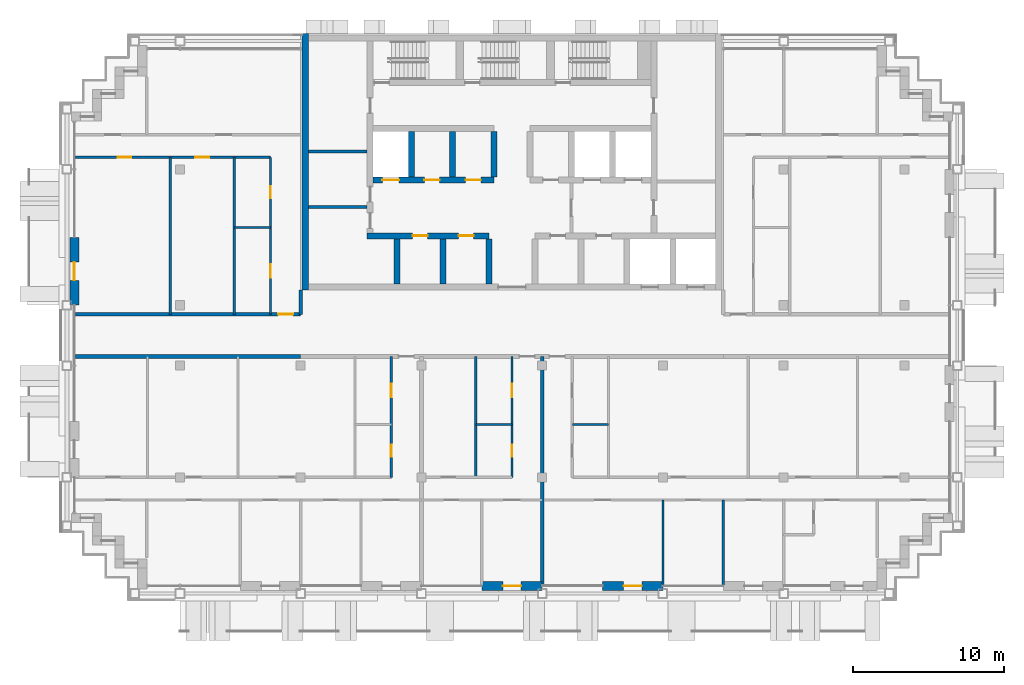
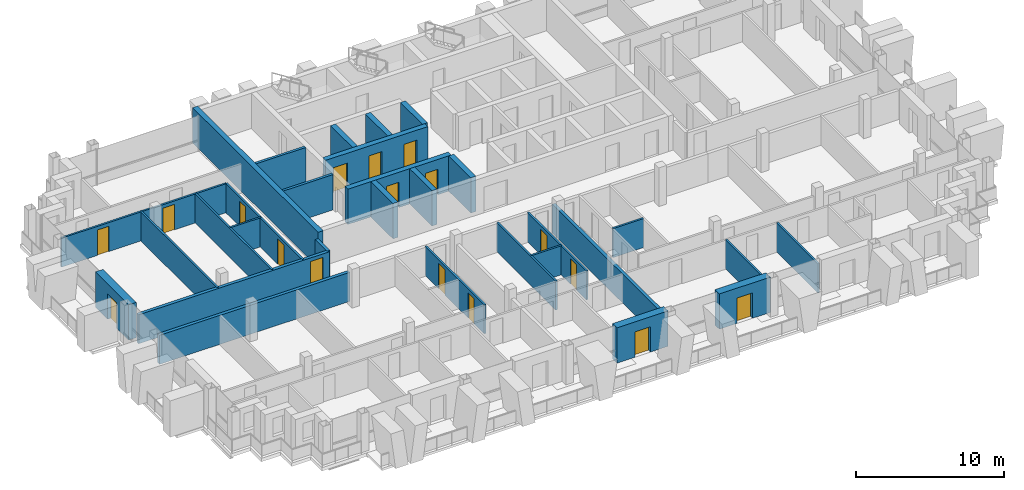
# One storey, part 8 of 16: 30 walls, 17 doors, 17 openings.
"""IFC4 building model written with IfcOpenShell, lengths in metres."""

from ifc_helpers import new_model, si_unit, direction, frame, frame_2d, origin, place, context, subcontext, project, spatial, rectangle, extrude, material, layer, layer_set, type_object, element, fill, save


model = new_model("IFC4")

# Units and contexts
model_context = context("Model", 3, precision=1e-05, world=origin(), true_north=direction((0.0, 1.0)))
body_context = subcontext(model_context, "Body", "Model", "MODEL_VIEW")
ifc_project = project(units=[si_unit("LENGTHUNIT", "METRE"), si_unit("AREAUNIT", "SQUARE_METRE"), si_unit("VOLUMEUNIT", "CUBIC_METRE"), si_unit("PLANEANGLEUNIT", "RADIAN"), si_unit("MASSUNIT", "GRAM", prefix="KILO")], contexts=[model_context])

# Site, building, storey
site_placement = place(None, origin())
site = spatial("IfcSite", under=ifc_project, at=site_placement, CompositionType="ELEMENT")
building_placement = place(site_placement, origin())
building = spatial("IfcBuilding", under=site, at=building_placement, Name="Vidyagriha Tower", CompositionType="ELEMENT")
storey_placement = place(building_placement, frame((0.0, 0.0, 223.60009765625)))
storey = spatial("IfcBuildingStorey", under=building, at=storey_placement, Name="L58", CompositionType="ELEMENT", Elevation=223.60009765625)

# Wall, opening, door
ifc_material_1 = material(Name="Precast concrete C40/50 with brick facing", Category="concrete")
ifc_layer_1 = layer(ifc_material_1, 0.60009765625)
ifc_layer_set_1 = layer_set([ifc_layer_1], Name="Precast concrete C40/50 with brick facing")
wall_type_1 = type_object("IfcWallType", Name="Brick-faced precast wall 600", PredefinedType="STANDARD", material=ifc_layer_set_1)
wall_1_placement = place(storey_placement, frame((-29.0, 6.5, 0.0), z_axis=(0.0, 0.0, 1.0), x_axis=(0.0, -1.0, 0.0)))
wall_1 = element("IfcWall", 1, at=wall_1_placement, inside=storey, type_object=wall_type_1, Name="Brick door bay wall L58 R16.3", PredefinedType="STANDARD", context=body_context, shape_type="SweptSolid", body=[
    extrude(rectangle(XDim=4.5, YDim=0.60009765625, at=frame_2d((2.25, 0.0))), origin(), (0.0, 0.0, 1.0), 2.919921875),
])
opening_1_placement = place(wall_1_placement, frame((1.64990234375, 0.0, 0.0)))
opening_1 = element("IfcOpeningElement", 2, at=opening_1_placement, cuts=wall_1, Name="Opening D58-62", PredefinedType="OPENING", context=body_context, shape_type="SweptSolid", body=[
    extrude(rectangle(XDim=1.199951171875, YDim=2.10009765625, at=frame_2d((0.60009765625, 1.050048828125))), frame((0.0, 0.31005859375, 0.0), z_axis=(0.0, -1.0, 0.0), x_axis=(1.0, 0.0, 0.0)), (0.0, 0.0, 1.0), 0.6201171875),
])
ifc_material_2 = material(Name="Aluminium framed glazed sliding door", Category="aluminium")
door_type_1 = type_object("IfcDoorType", Name="Balcony sliding door 1200x2100", OperationType="NOTDEFINED", PredefinedType="DOOR", material=ifc_material_2)
door_1_placement = place(opening_1_placement, origin())
door_1 = element("IfcDoor", 3, at=door_1_placement, inside=storey, type_object=door_type_1, Name="Door D58-62", OperationType="SLIDING_TO_LEFT", OverallHeight=2.10009765625, OverallWidth=1.199951171875, PredefinedType="DOOR", context=body_context, shape_type="SweptSolid", body=[
    extrude(rectangle(XDim=1.199951171875, YDim=2.10009765625, at=frame_2d((0.60009765625, 1.050048828125))), frame((0.0, 0.02490234375, 0.0), z_axis=(0.0, -1.0, 0.0), x_axis=(1.0, 0.0, 0.0)), (0.0, 0.0, 1.0), 0.050048828125),
])
fill(opening_1, door_1)

wall_2_placement = place(storey_placement, frame((-2.0, -16.60009765625, 0.0)))
wall_2 = element("IfcWall", 4, at=wall_2_placement, inside=storey, type_object=wall_type_1, Name="Brick door bay wall L58 R23.7", PredefinedType="STANDARD", context=body_context, shape_type="SweptSolid", body=[
    extrude(rectangle(XDim=4.0, YDim=0.60009765625, at=frame_2d((2.0, 0.0))), origin(), (0.0, 0.0, 1.0), 2.919921875),
])
opening_2_placement = place(wall_2_placement, frame((1.39990234375, 0.0, 0.0)))
opening_2 = element("IfcOpeningElement", 5, at=opening_2_placement, cuts=wall_2, Name="Opening D58-66", PredefinedType="OPENING", context=body_context, shape_type="SweptSolid", body=[
    extrude(rectangle(XDim=1.199951171875, YDim=2.10009765625, at=frame_2d((0.60009765625, 1.050048828125))), frame((0.0, 0.31005859375, 0.0), z_axis=(0.0, -1.0, 0.0), x_axis=(1.0, 0.0, 0.0)), (0.0, 0.0, 1.0), 0.6201171875),
])
door_2_placement = place(opening_2_placement, origin())
door_2 = element("IfcDoor", 6, at=door_2_placement, inside=storey, type_object=door_type_1, Name="Door D58-66", OperationType="SLIDING_TO_LEFT", OverallHeight=2.10009765625, OverallWidth=1.199951171875, PredefinedType="DOOR", context=body_context, shape_type="SweptSolid", body=[
    extrude(rectangle(XDim=1.199951171875, YDim=2.10009765625, at=frame_2d((0.60009765625, 1.050048828125))), frame((0.0, 0.02490234375, 0.0), z_axis=(0.0, -1.0, 0.0), x_axis=(1.0, 0.0, 0.0)), (0.0, 0.0, 1.0), 0.050048828125),
])
fill(opening_2, door_2)

wall_3_placement = place(storey_placement, frame((6.0, -16.60009765625, 0.0)))
wall_3 = element("IfcWall", 7, at=wall_3_placement, inside=storey, type_object=wall_type_1, Name="Brick door bay wall L58 R23.9", PredefinedType="STANDARD", context=body_context, shape_type="SweptSolid", body=[
    extrude(rectangle(XDim=4.0, YDim=0.60009765625, at=frame_2d((2.0, 0.0))), origin(), (0.0, 0.0, 1.0), 2.919921875),
])
opening_3_placement = place(wall_3_placement, frame((1.39990234375, 0.0, 0.0)))
opening_3 = element("IfcOpeningElement", 8, at=opening_3_placement, cuts=wall_3, Name="Opening D58-67", PredefinedType="OPENING", context=body_context, shape_type="SweptSolid", body=[
    extrude(rectangle(XDim=1.199951171875, YDim=2.10009765625, at=frame_2d((0.60009765625, 1.050048828125))), frame((0.0, 0.31005859375, 0.0), z_axis=(0.0, -1.0, 0.0), x_axis=(1.0, 0.0, 0.0)), (0.0, 0.0, 1.0), 0.6201171875),
])
door_3_placement = place(opening_3_placement, origin())
door_3 = element("IfcDoor", 9, at=door_3_placement, inside=storey, type_object=door_type_1, Name="Door D58-67", OperationType="SLIDING_TO_LEFT", OverallHeight=2.10009765625, OverallWidth=1.199951171875, PredefinedType="DOOR", context=body_context, shape_type="SweptSolid", body=[
    extrude(rectangle(XDim=1.199951171875, YDim=2.10009765625, at=frame_2d((0.60009765625, 1.050048828125))), frame((0.0, 0.02490234375, 0.0), z_axis=(0.0, -1.0, 0.0), x_axis=(1.0, 0.0, 0.0)), (0.0, 0.0, 1.0), 0.050048828125),
])
fill(opening_3, door_3)

# Wall
ifc_material_3 = material(Name="Concrete C60/75", Category="concrete")
ifc_layer_2 = layer(ifc_material_3, 0.39990234375)
ifc_layer_set_2 = layer_set([ifc_layer_2], Name="Concrete C60/75")
wall_type_2 = type_object("IfcWallType", Name="Core shear wall 400 mm", PredefinedType="SHEAR", material=ifc_layer_set_2)
wall_4_placement = place(storey_placement, frame((-13.699951171875, 3.0, 0.0), z_axis=(0.0, 0.0, 1.0), x_axis=(0.0, 1.0, 0.0)))
element("IfcWall", 10, at=wall_4_placement, inside=storey, type_object=wall_type_2, Name="Core west wall", PredefinedType="SHEAR", context=body_context, shape_type="SweptSolid", body=[
    extrude(rectangle(XDim=17.0, YDim=0.39990234375, at=frame_2d((8.5, 0.0))), origin(), (0.0, 0.0, 1.0), 2.919921875),
])

# Wall, openings, doors
wall_5_placement = place(storey_placement, frame((-9.60009765625, 6.60009765625, 0.0)))
wall_5 = element("IfcWall", 11, at=wall_5_placement, inside=storey, type_object=wall_type_2, Name="Core lobby south wall west", PredefinedType="SHEAR", context=body_context, shape_type="SweptSolid", body=[
    extrude(rectangle(XDim=8.077880859375, YDim=0.39990234375, at=frame_2d((4.0390625, 0.0))), origin(), (0.0, 0.0, 1.0), 2.919921875),
])
opening_4_placement = place(wall_5_placement, frame((3.010986328125, 0.0, 0.0)))
opening_4 = element("IfcOpeningElement", 12, at=opening_4_placement, cuts=wall_5, Name="Opening D58-02", PredefinedType="OPENING", context=body_context, shape_type="SweptSolid", body=[
    extrude(rectangle(XDim=1.0, YDim=2.10009765625, at=frame_2d((0.5, 1.050048828125))), frame((0.0, 0.2099609375, 0.0), z_axis=(0.0, -1.0, 0.0), x_axis=(1.0, 0.0, 0.0)), (0.0, 0.0, 1.0), 0.419921875),
])
opening_5_placement = place(wall_5_placement, frame((6.0556640625, 0.0, 0.0)))
opening_5 = element("IfcOpeningElement", 13, at=opening_5_placement, cuts=wall_5, Name="Opening D58-03", PredefinedType="OPENING", context=body_context, shape_type="SweptSolid", body=[
    extrude(rectangle(XDim=1.0, YDim=2.10009765625, at=frame_2d((0.5, 1.050048828125))), frame((0.0, 0.2099609375, 0.0), z_axis=(0.0, -1.0, 0.0), x_axis=(1.0, 0.0, 0.0)), (0.0, 0.0, 1.0), 0.419921875),
])
ifc_material_4 = material(Name="Hollow metal door leaf")
door_type_2 = type_object("IfcDoorType", Name="Core room door 1000 x 2100 mm EI 60", OperationType="NOTDEFINED", PredefinedType="DOOR", material=ifc_material_4)
door_4_placement = place(opening_4_placement, origin())
door_4 = element("IfcDoor", 14, at=door_4_placement, inside=storey, type_object=door_type_2, Name="Door Mechanical Riser Room 58.01", OperationType="SINGLE_SWING_RIGHT", OverallHeight=2.10009765625, OverallWidth=1.0, PredefinedType="DOOR", context=body_context, shape_type="SweptSolid", body=[
    extrude(rectangle(XDim=1.0, YDim=2.10009765625, at=frame_2d((0.5, 1.050048828125))), frame((0.0, 0.02490234375, 0.0), z_axis=(0.0, -1.0, 0.0), x_axis=(1.0, 0.0, 0.0)), (0.0, 0.0, 1.0), 0.050048828125),
])
fill(opening_4, door_4)
door_5_placement = place(opening_5_placement, origin())
door_5 = element("IfcDoor", 15, at=door_5_placement, inside=storey, type_object=door_type_2, Name="Door Switchgear Room 58.02", OperationType="SINGLE_SWING_RIGHT", OverallHeight=2.10009765625, OverallWidth=1.0, PredefinedType="DOOR", context=body_context, shape_type="SweptSolid", body=[
    extrude(rectangle(XDim=1.0, YDim=2.10009765625, at=frame_2d((0.5, 1.050048828125))), frame((0.0, 0.02490234375, 0.0), z_axis=(0.0, -1.0, 0.0), x_axis=(1.0, 0.0, 0.0)), (0.0, 0.0, 1.0), 0.050048828125),
])
fill(opening_5, door_5)

# Walls
for number, where, z_axis, x_axis, name in (
    (16, (-7.611083984375, 3.39990234375, 0.0), (0.0, 0.0, 1.0), (0.0, 1.0, 0.0), "Core bay wall S2"),
    (17, (-4.566650390625, 3.39990234375, 0.0), (0.0, 0.0, 1.0), (0.0, 1.0, 0.0), "Core bay wall S3"),
    (18, (-1.522216796875, 3.39990234375, 0.0), (0.0, 0.0, 1.0), (0.0, 1.0, 0.0), "Core bay wall S4"),
):
    element("IfcWall", number, at=place(storey_placement, frame(where, z_axis=z_axis, x_axis=x_axis)), inside=storey, type_object=wall_type_2, Name=name, PredefinedType="SHEAR", context=body_context, shape_type="SweptSolid", body=[
        extrude(rectangle(XDim=3.0, YDim=0.39990234375, at=frame_2d((1.5, 0.0))), origin(), (0.0, 0.0, 1.0), 2.919921875),
    ])

# Wall, openings, doors
wall_6_placement = place(storey_placement, frame((-9.199951171875, 10.300048828125, 0.0)))
wall_6 = element("IfcWall", 19, at=wall_6_placement, inside=storey, type_object=wall_type_2, Name="Core row N front wall", PredefinedType="SHEAR", context=body_context, shape_type="SweptSolid", body=[
    extrude(rectangle(XDim=8.0, YDim=0.39990234375, at=frame_2d((4.0, 0.0))), origin(), (0.0, 0.0, 1.0), 2.919921875),
])
opening_6_placement = place(wall_6_placement, frame((0.61669921875, 0.0, 0.0)))
opening_6 = element("IfcOpeningElement", 20, at=opening_6_placement, cuts=wall_6, Name="Opening LD58-03", PredefinedType="OPENING", context=body_context, shape_type="SweptSolid", body=[
    extrude(rectangle(XDim=1.10009765625, YDim=2.10009765625, at=frame_2d((0.550048828125, 1.050048828125))), frame((0.0, 0.2099609375, 0.0), z_axis=(0.0, -1.0, 0.0), x_axis=(1.0, 0.0, 0.0)), (0.0, 0.0, 1.0), 0.419921875),
])
opening_7_placement = place(wall_6_placement, frame((3.39990234375, 0.0, 0.0)))
opening_7 = element("IfcOpeningElement", 21, at=opening_7_placement, cuts=wall_6, Name="Opening D58-06", PredefinedType="OPENING", context=body_context, shape_type="SweptSolid", body=[
    extrude(rectangle(XDim=1.0, YDim=2.10009765625, at=frame_2d((0.5, 1.050048828125))), frame((0.0, 0.2099609375, 0.0), z_axis=(0.0, -1.0, 0.0), x_axis=(1.0, 0.0, 0.0)), (0.0, 0.0, 1.0), 0.419921875),
])
opening_8_placement = place(wall_6_placement, frame((6.13330078125, 0.0, 0.0)))
opening_8 = element("IfcOpeningElement", 22, at=opening_8_placement, cuts=wall_6, Name="Opening D58-07", PredefinedType="OPENING", context=body_context, shape_type="SweptSolid", body=[
    extrude(rectangle(XDim=1.0, YDim=2.10009765625, at=frame_2d((0.5, 1.050048828125))), frame((0.0, 0.2099609375, 0.0), z_axis=(0.0, -1.0, 0.0), x_axis=(1.0, 0.0, 0.0)), (0.0, 0.0, 1.0), 0.419921875),
])
door_6_placement = place(opening_7_placement, frame((1.0, 0.0, 0.0), z_axis=(0.0, 0.0, 1.0), x_axis=(-1.0, 0.0, 0.0)))
door_6 = element("IfcDoor", 23, at=door_6_placement, inside=storey, type_object=door_type_2, Name="Door Refuse Room 58.14", OperationType="SINGLE_SWING_RIGHT", OverallHeight=2.10009765625, OverallWidth=1.0, PredefinedType="DOOR", context=body_context, shape_type="SweptSolid", body=[
    extrude(rectangle(XDim=1.0, YDim=2.10009765625, at=frame_2d((0.5, 1.050048828125))), frame((0.0, 0.02490234375, 0.0), z_axis=(0.0, -1.0, 0.0), x_axis=(1.0, 0.0, 0.0)), (0.0, 0.0, 1.0), 0.050048828125),
])
fill(opening_7, door_6)
door_7_placement = place(opening_8_placement, frame((1.0, 0.0, 0.0), z_axis=(0.0, 0.0, 1.0), x_axis=(-1.0, 0.0, 0.0)))
door_7 = element("IfcDoor", 24, at=door_7_placement, inside=storey, type_object=door_type_2, Name="Door Pressurisation Plant Room 58.15", OperationType="SINGLE_SWING_LEFT", OverallHeight=2.10009765625, OverallWidth=1.0, PredefinedType="DOOR", context=body_context, shape_type="SweptSolid", body=[
    extrude(rectangle(XDim=1.0, YDim=2.10009765625, at=frame_2d((0.5, 1.050048828125))), frame((0.0, 0.02490234375, 0.0), z_axis=(0.0, -1.0, 0.0), x_axis=(1.0, 0.0, 0.0)), (0.0, 0.0, 1.0), 0.050048828125),
])
fill(opening_8, door_7)
ifc_material_5 = material(Name="Stainless steel sliding door panel", Category="steel")
door_type_3 = type_object("IfcDoorType", Name="Lift landing door 1100 x 2100 mm EI 90", OperationType="NOTDEFINED", PredefinedType="DOOR", material=ifc_material_5)
door_8_placement = place(opening_6_placement, origin())
door_8 = element("IfcDoor", 25, at=door_8_placement, inside=storey, type_object=door_type_3, Name="Landing door MR3 L58", OperationType="SLIDING_TO_LEFT", OverallHeight=2.10009765625, OverallWidth=1.10009765625, PredefinedType="DOOR", context=body_context, shape_type="SweptSolid", body=[
    extrude(rectangle(XDim=1.10009765625, YDim=2.10009765625, at=frame_2d((0.550048828125, 1.050048828125))), frame((0.0, 0.02490234375, 0.0), z_axis=(0.0, -1.0, 0.0), x_axis=(1.0, 0.0, 0.0)), (0.0, 0.0, 1.0), 0.050048828125),
])
fill(opening_6, door_8)

# Walls
for number, where, z_axis, x_axis, name in (
    (26, (-6.666748046875, 10.5, 0.0), (0.0, 0.0, 1.0), (0.0, 1.0, 0.0), "Core bay wall N1"),
    (27, (-3.933349609375, 10.5, 0.0), (0.0, 0.0, 1.0), (0.0, 1.0, 0.0), "Core bay wall N2"),
    (28, (-1.199951171875, 10.5, 0.0), (0.0, 0.0, 1.0), (0.0, 1.0, 0.0), "Core bay wall N3"),
):
    element("IfcWall", number, at=place(storey_placement, frame(where, z_axis=z_axis, x_axis=x_axis)), inside=storey, type_object=wall_type_2, Name=name, PredefinedType="SHEAR", context=body_context, shape_type="SweptSolid", body=[
        extrude(rectangle(XDim=3.0, YDim=0.39990234375, at=frame_2d((1.5, 0.0))), origin(), (0.0, 0.0, 1.0), 2.919921875),
    ])
ifc_material_6 = material(Name="Fired clay brick masonry", Category="masonry")
ifc_layer_3 = layer(ifc_material_6, 0.25)
ifc_layer_set_3 = layer_set([ifc_layer_3], Name="Fired clay brick masonry")
wall_type_3 = type_object("IfcWallType", Name="Fired clay brick corridor wall 250", PredefinedType="PARTITIONING", material=ifc_layer_set_3)
wall_7_placement = place(storey_placement, frame((-14.0, -1.39990234375, 0.0), z_axis=(0.0, 0.0, 1.0), x_axis=(-1.0, 0.0, 0.0)))
element("IfcWall", 29, at=wall_7_placement, inside=storey, type_object=wall_type_3, Name="Wall all-L58-w062", PredefinedType="PARTITIONING", context=body_context, shape_type="SweptSolid", body=[
    extrude(rectangle(XDim=14.919921875, YDim=0.25, at=frame_2d((7.4599609375, 0.0))), origin(), (0.0, 0.0, 1.0), 2.39990234375),
])

# Wall, opening, door
wall_8_placement = place(storey_placement, frame((-28.919921875, 1.39990234375, 0.0)))
wall_8 = element("IfcWall", 30, at=wall_8_placement, inside=storey, type_object=wall_type_3, Name="Wall all-L58-w078", PredefinedType="PARTITIONING", context=body_context, shape_type="SweptSolid", body=[
    extrude(rectangle(XDim=14.919921875, YDim=0.25, at=frame_2d((7.4599609375, 0.0))), origin(), (0.0, 0.0, 1.0), 2.39990234375),
])
opening_9_placement = place(wall_8_placement, frame((13.419921875, 0.0, 0.0)))
opening_9 = element("IfcOpeningElement", 31, at=opening_9_placement, cuts=wall_8, Name="Opening D58-53", PredefinedType="OPENING", context=body_context, shape_type="SweptSolid", body=[
    extrude(rectangle(XDim=1.0, YDim=2.10009765625, at=frame_2d((0.5, 1.050048828125))), frame((0.0, 0.135009765625, 0.0), z_axis=(0.0, -1.0, 0.0), x_axis=(1.0, 0.0, 0.0)), (0.0, 0.0, 1.0), 0.27001953125),
])
ifc_material_7 = material(Name="Fire-rated timber door leaf EI 60", Category="wood")
door_type_4 = type_object("IfcDoorType", Name="Flat entrance fire door 1000x2100", OperationType="NOTDEFINED", PredefinedType="DOOR", material=ifc_material_7)
door_9_placement = place(opening_9_placement, origin())
door_9 = element("IfcDoor", 32, at=door_9_placement, inside=storey, type_object=door_type_4, Name="Door D58-53", OperationType="SINGLE_SWING_RIGHT", OverallHeight=2.10009765625, OverallWidth=1.0, PredefinedType="DOOR", context=body_context, shape_type="SweptSolid", body=[
    extrude(rectangle(XDim=1.0, YDim=2.10009765625, at=frame_2d((0.5, 1.050048828125))), frame((0.0, 0.02490234375, 0.0), z_axis=(0.0, -1.0, 0.0), x_axis=(1.0, 0.0, 0.0)), (0.0, 0.0, 1.0), 0.050048828125),
])
fill(opening_9, door_9)

# Walls
wall_9_placement = place(storey_placement, frame((-14.0, 3.0, 0.0), z_axis=(0.0, 0.0, 1.0), x_axis=(0.0, -1.0, 0.0)))
element("IfcWall", 33, at=wall_9_placement, inside=storey, type_object=wall_type_3, Name="Wall all-L58-w097", PredefinedType="PARTITIONING", context=body_context, shape_type="SweptSolid", body=[
    extrude(rectangle(XDim=1.60009765625, YDim=0.25, at=frame_2d((0.800048828125, 0.0))), origin(), (0.0, 0.0, 1.0), 2.39990234375),
])
ifc_material_8 = material(Name="Fired clay brick masonry", Category="masonry")
ifc_layer_4 = layer(ifc_material_8, 0.25)
ifc_layer_set_4 = layer_set([ifc_layer_4], Name="Fired clay brick masonry")
wall_type_4 = type_object("IfcWallType", Name="Fired clay brick demising wall 250", PredefinedType="PARTITIONING", material=ifc_layer_set_4)
wall_10_placement = place(storey_placement, frame((2.0, -1.39990234375, 0.0), z_axis=(0.0, 0.0, 1.0), x_axis=(0.0, -1.0, 0.0)))
element("IfcWall", 34, at=wall_10_placement, inside=storey, type_object=wall_type_4, Name="Wall all-L58-w061", PredefinedType="PARTITIONING", context=body_context, shape_type="SweptSolid", body=[
    extrude(rectangle(XDim=15.110107421875, YDim=0.25, at=frame_2d((7.55517578125, 0.0))), origin(), (0.0, 0.0, 1.0), 2.39990234375),
])
ifc_material_9 = material(Name="Gypsum board partition")
ifc_layer_5 = layer(ifc_material_9, 0.14990234375)
ifc_layer_set_5 = layer_set([ifc_layer_5], Name="Gypsum board partition")
wall_type_5 = type_object("IfcWallType", Name="Gypsum board partition 150", PredefinedType="PARTITIONING", material=ifc_layer_set_5)
wall_11_placement = place(storey_placement, frame((0.0, -5.89990234375, 0.0), z_axis=(0.0, 0.0, 1.0), x_axis=(-1.0, 0.0, 0.0)))
element("IfcWall", 35, at=wall_11_placement, inside=storey, type_object=wall_type_5, Name="Wall all-L58-w026", PredefinedType="PARTITIONING", context=body_context, shape_type="SweptSolid", body=[
    extrude(rectangle(XDim=2.39990234375, YDim=0.14990234375, at=frame_2d((1.199951171875, 0.0))), origin(), (0.0, 0.0, 1.0), 2.39990234375),
])
wall_12_placement = place(storey_placement, frame((-2.39990234375, -9.39990234375, 0.0), z_axis=(0.0, 0.0, 1.0), x_axis=(0.0, 1.0, 0.0)))
element("IfcWall", 36, at=wall_12_placement, inside=storey, type_object=wall_type_5, Name="Wall all-L58-w027", PredefinedType="PARTITIONING", context=body_context, shape_type="SweptSolid", body=[
    extrude(rectangle(XDim=8.0, YDim=0.14990234375, at=frame_2d((4.0, 0.0))), origin(), (0.0, 0.0, 1.0), 2.39990234375),
])
wall_13_placement = place(storey_placement, frame((6.39990234375, -5.89990234375, 0.0), z_axis=(0.0, 0.0, 1.0), x_axis=(-1.0, 0.0, 0.0)))
element("IfcWall", 37, at=wall_13_placement, inside=storey, type_object=wall_type_5, Name="Wall all-L58-w039", PredefinedType="PARTITIONING", context=body_context, shape_type="SweptSolid", body=[
    extrude(rectangle(XDim=2.39990234375, YDim=0.14990234375, at=frame_2d((1.199951171875, 0.0))), origin(), (0.0, 0.0, 1.0), 2.39990234375),
])
wall_14_placement = place(storey_placement, frame((10.0, -10.89990234375, 0.0), z_axis=(0.0, 0.0, 1.0), x_axis=(0.0, -1.0, 0.0)))
element("IfcWall", 38, at=wall_14_placement, inside=storey, type_object=wall_type_5, Name="Wall all-L58-w053", PredefinedType="PARTITIONING", context=body_context, shape_type="SweptSolid", body=[
    extrude(rectangle(XDim=5.610107421875, YDim=0.14990234375, at=frame_2d((2.80517578125, 0.0))), origin(), (0.0, 0.0, 1.0), 2.39990234375),
])
wall_15_placement = place(storey_placement, frame((14.0, -10.89990234375, 0.0), z_axis=(0.0, 0.0, 1.0), x_axis=(0.0, -1.0, 0.0)))
element("IfcWall", 39, at=wall_15_placement, inside=storey, type_object=wall_type_5, Name="Wall all-L58-w054", PredefinedType="PARTITIONING", context=body_context, shape_type="SweptSolid", body=[
    extrude(rectangle(XDim=5.62109375, YDim=0.14990234375, at=frame_2d((2.810546875, 0.0))), origin(), (0.0, 0.0, 1.0), 2.39990234375),
])
wall_16_placement = place(storey_placement, frame((-18.39990234375, 7.14990234375, 0.0)))
element("IfcWall", 40, at=wall_16_placement, inside=storey, type_object=wall_type_5, Name="Wall all-L58-w067", PredefinedType="PARTITIONING", context=body_context, shape_type="SweptSolid", body=[
    extrude(rectangle(XDim=2.39990234375, YDim=0.14990234375, at=frame_2d((1.199951171875, 0.0))), origin(), (0.0, 0.0, 1.0), 2.39990234375),
])
for number, where, z_axis, x_axis, name in (
    (41, (-18.39990234375, 1.39990234375, 0.0), (0.0, 0.0, 1.0), (0.0, 1.0, 0.0), "Wall all-L58-w068"),
    (42, (-22.64990234375, 1.39990234375, 0.0), (0.0, 0.0, 1.0), (0.0, 1.0, 0.0), "Wall all-L58-w069"),
):
    element("IfcWall", number, at=place(storey_placement, frame(where, z_axis=z_axis, x_axis=x_axis)), inside=storey, type_object=wall_type_5, Name=name, PredefinedType="PARTITIONING", context=body_context, shape_type="SweptSolid", body=[
        extrude(rectangle(XDim=10.400146484375, YDim=0.14990234375, at=frame_2d((5.2001953125, 0.0))), origin(), (0.0, 0.0, 1.0), 2.39990234375),
    ])

# Wall, openings, doors
wall_17_placement = place(storey_placement, frame((-16.0, 11.800048828125, 0.0), z_axis=(0.0, 0.0, 1.0), x_axis=(-1.0, 0.0, 0.0)))
wall_17 = element("IfcWall", 43, at=wall_17_placement, inside=storey, type_object=wall_type_5, Name="Wall all-L58-w070", PredefinedType="PARTITIONING", context=body_context, shape_type="SweptSolid", body=[
    extrude(rectangle(XDim=12.919921875, YDim=0.14990234375, at=frame_2d((6.4599609375, 0.0))), origin(), (0.0, 0.0, 1.0), 2.39990234375),
])
opening_10_placement = place(wall_17_placement, frame((4.074951171875, 0.0, 0.0)))
opening_10 = element("IfcOpeningElement", 44, at=opening_10_placement, cuts=wall_17, Name="Opening D58-49", PredefinedType="OPENING", context=body_context, shape_type="SweptSolid", body=[
    extrude(rectangle(XDim=0.89990234375, YDim=2.10009765625, at=frame_2d((0.449951171875, 1.050048828125))), frame((0.0, 0.0849609375, 0.0), z_axis=(0.0, -1.0, 0.0), x_axis=(1.0, 0.0, 0.0)), (0.0, 0.0, 1.0), 0.169921875),
])
opening_11_placement = place(wall_17_placement, frame((9.22509765625, 0.0, 0.0)))
opening_11 = element("IfcOpeningElement", 45, at=opening_11_placement, cuts=wall_17, Name="Opening D58-50", PredefinedType="OPENING", context=body_context, shape_type="SweptSolid", body=[
    extrude(rectangle(XDim=0.89990234375, YDim=2.10009765625, at=frame_2d((0.449951171875, 1.050048828125))), frame((0.0, 0.0849609375, 0.0), z_axis=(0.0, -1.0, 0.0), x_axis=(1.0, 0.0, 0.0)), (0.0, 0.0, 1.0), 0.169921875),
])
ifc_material_10 = material(Name="Timber door leaf", Category="wood")
door_type_5 = type_object("IfcDoorType", Name="Room door 900x2100", OperationType="NOTDEFINED", PredefinedType="DOOR", material=ifc_material_10)
door_10_placement = place(opening_10_placement, origin())
door_10 = element("IfcDoor", 46, at=door_10_placement, inside=storey, type_object=door_type_5, Name="Door D58-49", OperationType="SINGLE_SWING_RIGHT", OverallHeight=2.10009765625, OverallWidth=0.89990234375, PredefinedType="DOOR", context=body_context, shape_type="SweptSolid", body=[
    extrude(rectangle(XDim=0.89990234375, YDim=2.10009765625, at=frame_2d((0.449951171875, 1.050048828125))), frame((0.0, 0.02490234375, 0.0), z_axis=(0.0, -1.0, 0.0), x_axis=(1.0, 0.0, 0.0)), (0.0, 0.0, 1.0), 0.050048828125),
])
fill(opening_10, door_10)
door_11_placement = place(opening_11_placement, origin())
door_11 = element("IfcDoor", 47, at=door_11_placement, inside=storey, type_object=door_type_5, Name="Door D58-50", OperationType="SINGLE_SWING_RIGHT", OverallHeight=2.10009765625, OverallWidth=0.89990234375, PredefinedType="DOOR", context=body_context, shape_type="SweptSolid", body=[
    extrude(rectangle(XDim=0.89990234375, YDim=2.10009765625, at=frame_2d((0.449951171875, 1.050048828125))), frame((0.0, 0.02490234375, 0.0), z_axis=(0.0, -1.0, 0.0), x_axis=(1.0, 0.0, 0.0)), (0.0, 0.0, 1.0), 0.050048828125),
])
fill(opening_11, door_11)

ifc_material_11 = material(Name="Moisture resistant gypsum board partition")
ifc_layer_6 = layer(ifc_material_11, 0.14990234375)
ifc_layer_set_6 = layer_set([ifc_layer_6], Name="Moisture resistant gypsum board partition")
wall_type_6 = type_object("IfcWallType", Name="Gypsum board wet-area partition 150", PredefinedType="PARTITIONING", material=ifc_layer_set_6)
wall_18_placement = place(storey_placement, frame((-8.0, -9.39990234375, 0.0), z_axis=(0.0, 0.0, 1.0), x_axis=(0.0, 1.0, 0.0)))
wall_18 = element("IfcWall", 48, at=wall_18_placement, inside=storey, type_object=wall_type_6, Name="Wall all-L58-w001", PredefinedType="PARTITIONING", context=body_context, shape_type="SweptSolid", body=[
    extrude(rectangle(XDim=8.0, YDim=0.14990234375, at=frame_2d((4.0, 0.0))), origin(), (0.0, 0.0, 1.0), 2.39990234375),
])
opening_12_placement = place(wall_18_placement, frame((5.300048828125, 0.0, 0.0)))
opening_12 = element("IfcOpeningElement", 49, at=opening_12_placement, cuts=wall_18, Name="Opening D58-18", PredefinedType="OPENING", context=body_context, shape_type="SweptSolid", body=[
    extrude(rectangle(XDim=0.89990234375, YDim=2.10009765625, at=frame_2d((0.449951171875, 1.050048828125))), frame((0.0, 0.0849609375, 0.0), z_axis=(0.0, -1.0, 0.0), x_axis=(1.0, 0.0, 0.0)), (0.0, 0.0, 1.0), 0.169921875),
])
opening_13_placement = place(wall_18_placement, frame((1.35009765625, 0.0, 0.0)))
opening_13 = element("IfcOpeningElement", 50, at=opening_13_placement, cuts=wall_18, Name="Opening D58-19", PredefinedType="OPENING", context=body_context, shape_type="SweptSolid", body=[
    extrude(rectangle(XDim=0.800048828125, YDim=2.10009765625, at=frame_2d((0.39990234375, 1.050048828125))), frame((0.0, 0.0849609375, 0.0), z_axis=(0.0, -1.0, 0.0), x_axis=(1.0, 0.0, 0.0)), (0.0, 0.0, 1.0), 0.169921875),
])
ifc_material_12 = material(Name="Timber door leaf", Category="wood")
door_type_6 = type_object("IfcDoorType", Name="Bathroom door 800x2100", OperationType="NOTDEFINED", PredefinedType="DOOR", material=ifc_material_12)
door_12_placement = place(opening_13_placement, origin())
door_12 = element("IfcDoor", 51, at=door_12_placement, inside=storey, type_object=door_type_6, Name="Door D58-19", OperationType="SINGLE_SWING_RIGHT", OverallHeight=2.10009765625, OverallWidth=0.800048828125, PredefinedType="DOOR", context=body_context, shape_type="SweptSolid", body=[
    extrude(rectangle(XDim=0.800048828125, YDim=2.10009765625, at=frame_2d((0.39990234375, 1.050048828125))), frame((0.0, 0.02490234375, 0.0), z_axis=(0.0, -1.0, 0.0), x_axis=(1.0, 0.0, 0.0)), (0.0, 0.0, 1.0), 0.050048828125),
])
fill(opening_13, door_12)
ifc_material_13 = material(Name="Timber door leaf", Category="wood")
door_type_7 = type_object("IfcDoorType", Name="Kitchen door 900x2100", OperationType="NOTDEFINED", PredefinedType="DOOR", material=ifc_material_13)
door_13_placement = place(opening_12_placement, origin())
door_13 = element("IfcDoor", 52, at=door_13_placement, inside=storey, type_object=door_type_7, Name="Door D58-18", OperationType="SINGLE_SWING_LEFT", OverallHeight=2.10009765625, OverallWidth=0.89990234375, PredefinedType="DOOR", context=body_context, shape_type="SweptSolid", body=[
    extrude(rectangle(XDim=0.89990234375, YDim=2.10009765625, at=frame_2d((0.449951171875, 1.050048828125))), frame((0.0, 0.02490234375, 0.0), z_axis=(0.0, -1.0, 0.0), x_axis=(1.0, 0.0, 0.0)), (0.0, 0.0, 1.0), 0.050048828125),
])
fill(opening_12, door_13)

wall_19_placement = place(storey_placement, frame((0.0, -9.39990234375, 0.0), z_axis=(0.0, 0.0, 1.0), x_axis=(0.0, 1.0, 0.0)))
wall_19 = element("IfcWall", 53, at=wall_19_placement, inside=storey, type_object=wall_type_6, Name="Wall all-L58-w023", PredefinedType="PARTITIONING", context=body_context, shape_type="SweptSolid", body=[
    extrude(rectangle(XDim=8.0, YDim=0.14990234375, at=frame_2d((4.0, 0.0))), origin(), (0.0, 0.0, 1.0), 2.39990234375),
])
opening_14_placement = place(wall_19_placement, frame((5.300048828125, 0.0, 0.0)))
opening_14 = element("IfcOpeningElement", 54, at=opening_14_placement, cuts=wall_19, Name="Opening D58-29", PredefinedType="OPENING", context=body_context, shape_type="SweptSolid", body=[
    extrude(rectangle(XDim=0.89990234375, YDim=2.10009765625, at=frame_2d((0.449951171875, 1.050048828125))), frame((0.0, 0.0849609375, 0.0), z_axis=(0.0, -1.0, 0.0), x_axis=(1.0, 0.0, 0.0)), (0.0, 0.0, 1.0), 0.169921875),
])
opening_15_placement = place(wall_19_placement, frame((1.35009765625, 0.0, 0.0)))
opening_15 = element("IfcOpeningElement", 55, at=opening_15_placement, cuts=wall_19, Name="Opening D58-30", PredefinedType="OPENING", context=body_context, shape_type="SweptSolid", body=[
    extrude(rectangle(XDim=0.800048828125, YDim=2.10009765625, at=frame_2d((0.39990234375, 1.050048828125))), frame((0.0, 0.0849609375, 0.0), z_axis=(0.0, -1.0, 0.0), x_axis=(1.0, 0.0, 0.0)), (0.0, 0.0, 1.0), 0.169921875),
])
door_14_placement = place(opening_15_placement, origin())
door_14 = element("IfcDoor", 56, at=door_14_placement, inside=storey, type_object=door_type_6, Name="Door D58-30", OperationType="SINGLE_SWING_RIGHT", OverallHeight=2.10009765625, OverallWidth=0.800048828125, PredefinedType="DOOR", context=body_context, shape_type="SweptSolid", body=[
    extrude(rectangle(XDim=0.800048828125, YDim=2.10009765625, at=frame_2d((0.39990234375, 1.050048828125))), frame((0.0, 0.02490234375, 0.0), z_axis=(0.0, -1.0, 0.0), x_axis=(1.0, 0.0, 0.0)), (0.0, 0.0, 1.0), 0.050048828125),
])
fill(opening_15, door_14)
door_15_placement = place(opening_14_placement, origin())
door_15 = element("IfcDoor", 57, at=door_15_placement, inside=storey, type_object=door_type_7, Name="Door D58-29", OperationType="SINGLE_SWING_LEFT", OverallHeight=2.10009765625, OverallWidth=0.89990234375, PredefinedType="DOOR", context=body_context, shape_type="SweptSolid", body=[
    extrude(rectangle(XDim=0.89990234375, YDim=2.10009765625, at=frame_2d((0.449951171875, 1.050048828125))), frame((0.0, 0.02490234375, 0.0), z_axis=(0.0, -1.0, 0.0), x_axis=(1.0, 0.0, 0.0)), (0.0, 0.0, 1.0), 0.050048828125),
])
fill(opening_14, door_15)

wall_20_placement = place(storey_placement, frame((-16.0, 1.39990234375, 0.0), z_axis=(0.0, 0.0, 1.0), x_axis=(0.0, 1.0, 0.0)))
wall_20 = element("IfcWall", 58, at=wall_20_placement, inside=storey, type_object=wall_type_6, Name="Wall all-L58-w064", PredefinedType="PARTITIONING", context=body_context, shape_type="SweptSolid", body=[
    extrude(rectangle(XDim=10.400146484375, YDim=0.14990234375, at=frame_2d((5.2001953125, 0.0))), origin(), (0.0, 0.0, 1.0), 2.39990234375),
])
opening_16_placement = place(wall_20_placement, frame((2.425048828125, 0.0, 0.0)))
opening_16 = element("IfcOpeningElement", 59, at=opening_16_placement, cuts=wall_20, Name="Opening D58-47", PredefinedType="OPENING", context=body_context, shape_type="SweptSolid", body=[
    extrude(rectangle(XDim=0.89990234375, YDim=2.10009765625, at=frame_2d((0.449951171875, 1.050048828125))), frame((0.0, 0.0849609375, 0.0), z_axis=(0.0, -1.0, 0.0), x_axis=(1.0, 0.0, 0.0)), (0.0, 0.0, 1.0), 0.169921875),
])
opening_17_placement = place(wall_20_placement, frame((7.675048828125, 0.0, 0.0)))
opening_17 = element("IfcOpeningElement", 60, at=opening_17_placement, cuts=wall_20, Name="Opening D58-48", PredefinedType="OPENING", context=body_context, shape_type="SweptSolid", body=[
    extrude(rectangle(XDim=0.800048828125, YDim=2.10009765625, at=frame_2d((0.39990234375, 1.050048828125))), frame((0.0, 0.0849609375, 0.0), z_axis=(0.0, -1.0, 0.0), x_axis=(1.0, 0.0, 0.0)), (0.0, 0.0, 1.0), 0.169921875),
])
door_16_placement = place(opening_17_placement, origin())
door_16 = element("IfcDoor", 61, at=door_16_placement, inside=storey, type_object=door_type_6, Name="Door D58-48", OperationType="SINGLE_SWING_LEFT", OverallHeight=2.10009765625, OverallWidth=0.800048828125, PredefinedType="DOOR", context=body_context, shape_type="SweptSolid", body=[
    extrude(rectangle(XDim=0.800048828125, YDim=2.10009765625, at=frame_2d((0.39990234375, 1.050048828125))), frame((0.0, 0.02490234375, 0.0), z_axis=(0.0, -1.0, 0.0), x_axis=(1.0, 0.0, 0.0)), (0.0, 0.0, 1.0), 0.050048828125),
])
fill(opening_17, door_16)
door_17_placement = place(opening_16_placement, origin())
door_17 = element("IfcDoor", 62, at=door_17_placement, inside=storey, type_object=door_type_7, Name="Door D58-47", OperationType="SINGLE_SWING_RIGHT", OverallHeight=2.10009765625, OverallWidth=0.89990234375, PredefinedType="DOOR", context=body_context, shape_type="SweptSolid", body=[
    extrude(rectangle(XDim=0.89990234375, YDim=2.10009765625, at=frame_2d((0.449951171875, 1.050048828125))), frame((0.0, 0.02490234375, 0.0), z_axis=(0.0, -1.0, 0.0), x_axis=(1.0, 0.0, 0.0)), (0.0, 0.0, 1.0), 0.050048828125),
])
fill(opening_16, door_17)

# Walls
ifc_material_14 = material(Name="Blockwork 15 MPa", Category="masonry")
ifc_layer_7 = layer(ifc_material_14, 0.199951171875)
ifc_layer_set_7 = layer_set([ifc_layer_7], Name="Blockwork 15 MPa")
wall_type_7 = type_object("IfcWallType", Name="Service room partition 200 mm", PredefinedType="PARTITIONING", material=ifc_layer_set_7)
for number, where, name in (
    (63, (-13.5, 8.5, 0.0), "Core room partition W1"),
    (64, (-13.5, 12.199951171875, 0.0), "Core room partition W2"),
):
    element("IfcWall", number, at=place(storey_placement, frame(where)), inside=storey, type_object=wall_type_7, Name=name, PredefinedType="PARTITIONING", context=body_context, shape_type="SweptSolid", body=[
        extrude(rectangle(XDim=3.89990234375, YDim=0.199951171875, at=frame_2d((1.949951171875, 0.0))), origin(), (0.0, 0.0, 1.0), 2.919921875),
    ])

save(model, "model.ifc")
